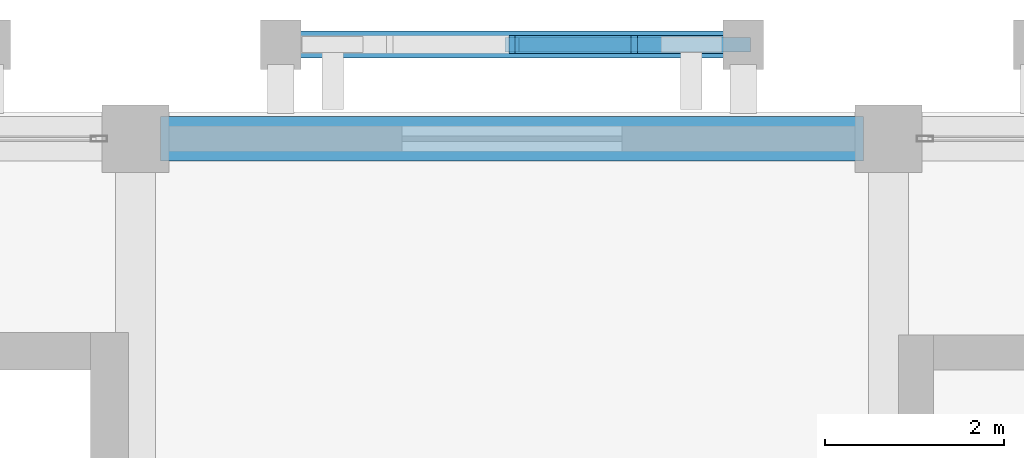
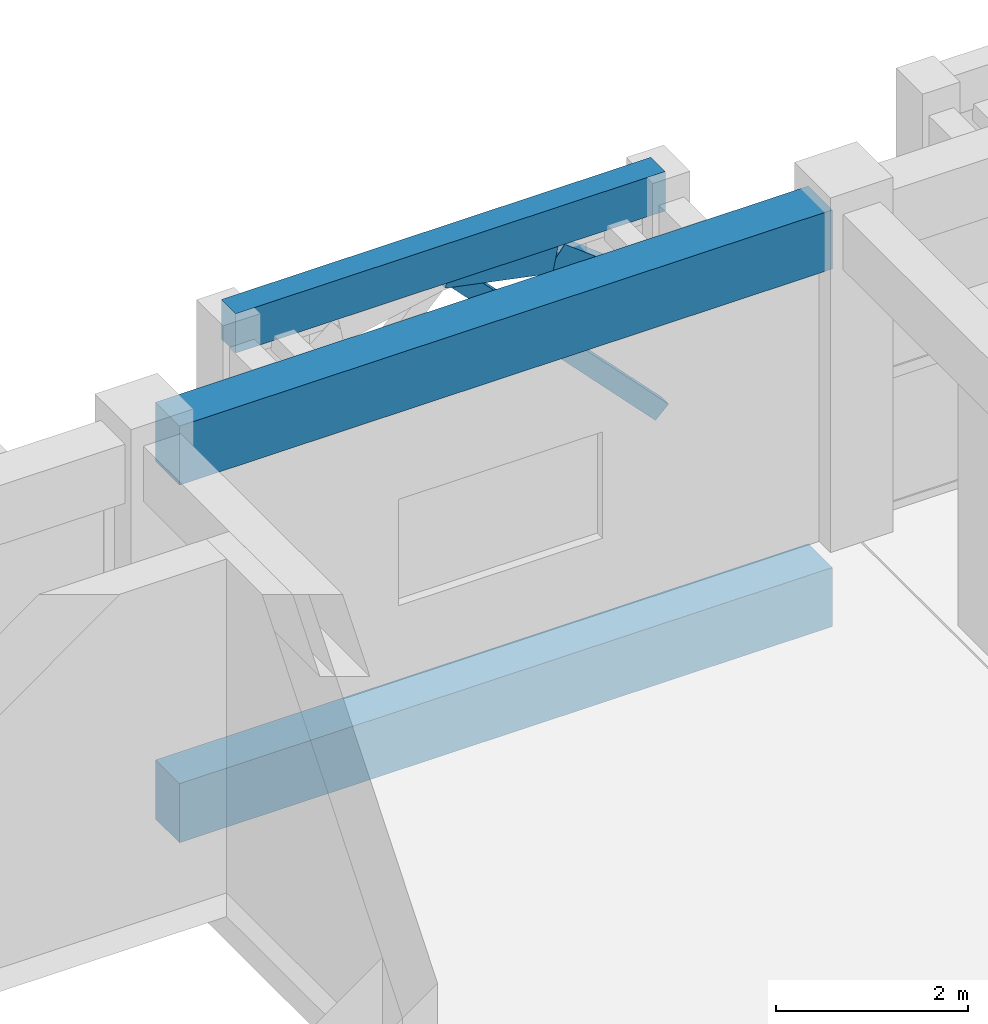
# One storey, part 76 of 114: 3 beams, 3 members.
"""IFC4 building model written with IfcOpenShell, lengths in metres."""

from ifc_helpers import new_model, si_unit, direction, frame, origin, origin_2d, place, context, subcontext, project, spatial, rectangle, extrude, material, material_profile, profile_set, type_object, element, save


model = new_model("IFC4")

# Units and contexts
model_context = context("Model", 3, precision=1e-05, world=origin(), true_north=direction((0.0, 1.0)))
body_context = subcontext(model_context, "Body", "Model", "MODEL_VIEW")
ifc_project = project(units=[si_unit("LENGTHUNIT", "METRE"), si_unit("AREAUNIT", "SQUARE_METRE"), si_unit("VOLUMEUNIT", "CUBIC_METRE"), si_unit("PLANEANGLEUNIT", "RADIAN"), si_unit("MASSUNIT", "GRAM", prefix="KILO")], contexts=[model_context])

# Site, building, storey
site_placement = place(None, origin())
site = spatial("IfcSite", under=ifc_project, at=site_placement, CompositionType="ELEMENT")
building_placement = place(site_placement, origin())
building = spatial("IfcBuilding", under=site, at=building_placement, Name="Xazarin Passage Department Store", CompositionType="ELEMENT")
storey_placement = place(building_placement, frame((0.0, 0.0, 14.39990234375)))
storey = spatial("IfcBuildingStorey", under=building, at=storey_placement, Name="L03", CompositionType="ELEMENT", Elevation=14.39990234375)

# Beams
ifc_material_1 = material(Name="Concrete C35/45", Category="concrete")
ifc_material_profile_1 = material_profile(ifc_material_1, rectangle(XDim=0.300048828125, YDim=0.5, at=origin_2d()), Name="RC 300x500")
ifc_profile_set_1 = profile_set([ifc_material_profile_1], Name="Concrete C35/45")
beam_type_1 = type_object("IfcBeamType", Name="STR-BM-LN300x500", PredefinedType="LINTEL", material=ifc_profile_set_1)
beam_placement = place(storey_placement, frame((120.820068359375, 111.050048828125, 4.25), z_axis=(1.0, 0.0, 0.0), x_axis=(0.0, 1.0, 0.0)))
element("IfcBeam", 1, at=beam_placement, inside=storey, type_object=beam_type_1, Name="L03 V4 Colonnade Spandrel Beam 042", PredefinedType="LINTEL", context=body_context, shape_type="SweptSolid", body=[
    extrude(rectangle(XDim=0.300048828125, YDim=0.5, at=origin_2d()), origin(), (0.0, 0.0, 1.0), 5.159912109375),
])
ifc_material_profile_2 = material_profile(ifc_material_1, rectangle(XDim=0.5, YDim=0.75, at=origin_2d()), Name="RC 500x750")
ifc_profile_set_2 = profile_set([ifc_material_profile_2], Name="Concrete C35/45")
beam_type_2 = type_object("IfcBeamType", Name="STR-BM-SP500x750", PredefinedType="SPANDREL", material=ifc_profile_set_2)
for number, where, z_axis, x_axis, name in (
    (2, (119.47998046875, 110.0, -0.6748046875), (1.0, 0.0, 0.0), (0.0, 1.0, 0.0), "L03 Grid Beam Q/17-18"),
    (3, (119.47998046875, 110.0, 3.864990234375), (1.0, 0.0, 0.0), (0.0, 1.0, 0.0), "L03 Grid Beam Q/17-18"),
):
    element("IfcBeam", number, at=place(storey_placement, frame(where, z_axis=z_axis, x_axis=x_axis)), inside=storey, type_object=beam_type_2, Name=name, PredefinedType="SPANDREL", context=body_context, shape_type="SweptSolid", body=[
        extrude(rectangle(XDim=0.5, YDim=0.75, at=origin_2d()), origin(), (0.0, 0.0, 1.0), 7.840087890625),
    ])

# Members
ifc_material_2 = material(Name="Concrete C40/50", Category="concrete")
ifc_material_profile_3 = material_profile(ifc_material_2, rectangle(XDim=0.199951171875, YDim=0.360107421875, at=origin_2d()), Name="RC 200x360")
ifc_profile_set_3 = profile_set([ifc_material_profile_3], Name="Concrete C40/50")
member_type_1 = type_object("IfcMemberType", Name="STR-MEM-ARC360", PredefinedType="CHORD", material=ifc_profile_set_3)
member_1_placement = place(storey_placement, frame((123.39990234375, 111.050048828125, 4.080078125), z_axis=(0.979744705887, 0.0, -0.200250621188), x_axis=(0.0, 1.0, 0.0)))
element("IfcMember", 4, at=member_1_placement, inside=storey, type_object=member_type_1, Name="L03 V4 Pierced Lattice Curved Arch 042.3", PredefinedType="CHORD", context=body_context, shape_type="SweptSolid", body=[
    extrude(rectangle(XDim=0.199951171875, YDim=0.360107421875, at=origin_2d()), origin(), (0.0, 0.0, 1.0), 1.316650390625),
])
member_2_placement = place(storey_placement, frame((124.68994140625, 111.050048828125, 3.81640625), z_axis=(0.79440903847, 0.0, -0.607383140692), x_axis=(0.0, 1.0, 0.0)))
element("IfcMember", 5, at=member_2_placement, inside=storey, type_object=member_type_1, Name="L03 V4 Pierced Lattice Curved Arch 042.4", PredefinedType="CHORD", context=body_context, shape_type="SweptSolid", body=[
    extrude(rectangle(XDim=0.199951171875, YDim=0.360107421875, at=origin_2d()), origin(), (0.0, 0.0, 1.0), 1.623779296875),
])
ifc_material_profile_4 = material_profile(ifc_material_2, rectangle(XDim=0.159912109375, YDim=0.219970703125, at=origin_2d()), Name="RC 160x220")
ifc_profile_set_4 = profile_set([ifc_material_profile_4], Name="Concrete C40/50")
member_type_2 = type_object("IfcMemberType", Name="STR-MEM-TRC220", PredefinedType="CHORD", material=ifc_profile_set_4)
member_3_placement = place(storey_placement, frame((123.39990234375, 111.050048828125, 4.080078125), z_axis=(0.693558444435, 0.0, -0.720400363793), x_axis=(0.0, 1.0, 0.0)))
element("IfcMember", 6, at=member_3_placement, inside=storey, type_object=member_type_2, Name="L03 V4 Upper Lattice Tracery Arch 042R", PredefinedType="CHORD", context=body_context, shape_type="SweptSolid", body=[
    extrude(rectangle(XDim=0.159912109375, YDim=0.219970703125, at=origin_2d()), origin(), (0.0, 0.0, 1.0), 3.719970703125),
])

save(model, "model.ifc")
